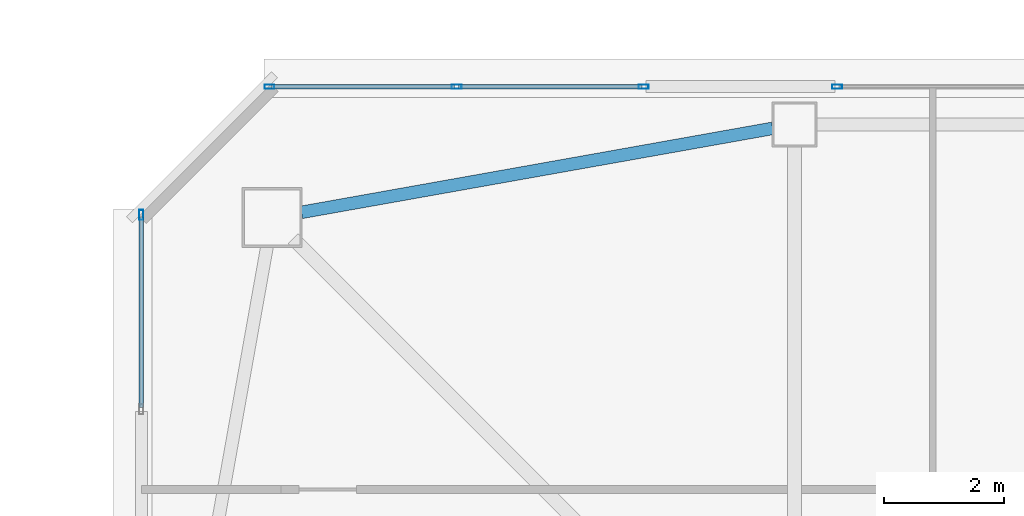
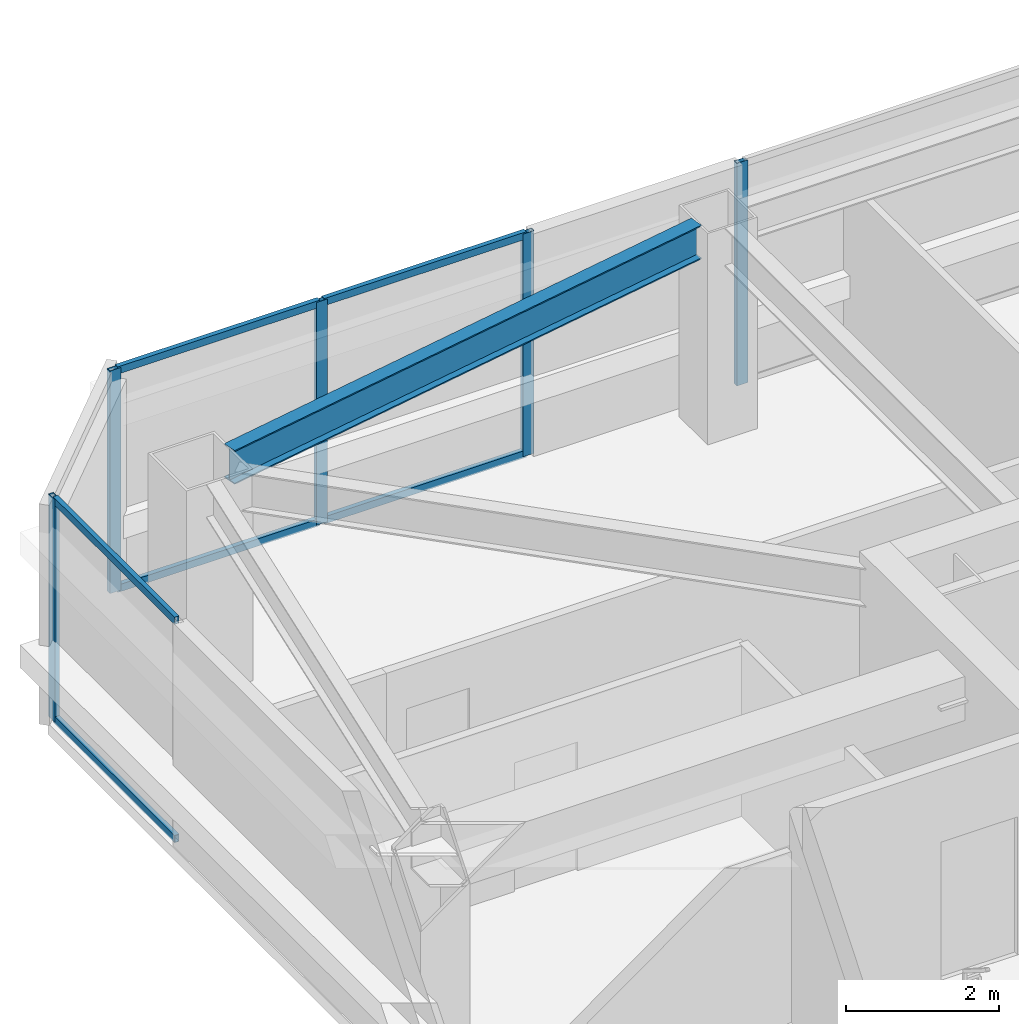
# One storey, part 12 of 39: 11 members, 1 beam, 3 elements without a shape of their own.
"""IFC4 building model written with IfcOpenShell, lengths in metres."""

from ifc_helpers import new_model, si_unit, direction, frame, origin, origin_2d, place, context, subcontext, project, spatial, hollow_rectangle, i_section, extrude, material, material_profile, profile_set, type_object, element, aggregate, save


model = new_model("IFC4")

# Units and contexts
model_context = context("Model", 3, precision=1e-05, world=origin(), true_north=direction((0.0, 1.0)))
body_context = subcontext(model_context, "Body", "Model", "MODEL_VIEW")
ifc_project = project(units=[si_unit("LENGTHUNIT", "METRE"), si_unit("AREAUNIT", "SQUARE_METRE"), si_unit("VOLUMEUNIT", "CUBIC_METRE"), si_unit("PLANEANGLEUNIT", "RADIAN"), si_unit("MASSUNIT", "GRAM", prefix="KILO")], contexts=[model_context])

# Site, building, storey
site_placement = place(None, origin())
site = spatial("IfcSite", under=ifc_project, at=site_placement, CompositionType="ELEMENT")
building_placement = place(site_placement, origin())
building = spatial("IfcBuilding", under=site, at=building_placement, Name="Tashvorn Skyway Center", CompositionType="ELEMENT")
storey_placement = place(building_placement, frame((0.0, 0.0, 214.85009765625)))
storey = spatial("IfcBuildingStorey", under=building, at=storey_placement, Name="L58", CompositionType="ELEMENT", Elevation=214.85009765625)

# Beam
ifc_material_1 = material(Name="Steel ASTM A992 Grade 50", Category="steel")
ifc_material_profile_1 = material_profile(ifc_material_1, i_section(OverallWidth=0.2109375, OverallDepth=0.5390625, WebThickness=0.01171875, FlangeThickness=0.018798828125, at=origin_2d()), Name="W21X73")
ifc_profile_set_1 = profile_set([ifc_material_profile_1], Name="Steel ASTM A992 Grade 50")
beam_type = type_object("IfcBeamType", Name="BM-SPANDREL-W21X73", PredefinedType="SPANDREL", material=ifc_profile_set_1)
beam_placement = place(storey_placement, frame((36.23583984375, 47.585205078125, 3.100341796875), z_axis=(-0.984494883191, -0.17541329759, 0.0), x_axis=(0.17541329759, -0.984494883191, 0.0)))
element("IfcBeam", 1, at=beam_placement, inside=storey, type_object=beam_type, Name="Tower 1 L58 Spandrel Beam 09", PredefinedType="SPANDREL", context=body_context, shape_type="SweptSolid", body=[
    extrude(i_section(OverallWidth=0.2109375, OverallDepth=0.5390625, WebThickness=0.01171875, FlangeThickness=0.018798828125, at=origin_2d()), origin(), (0.0, 0.0, 1.0), 7.97216796875),
])

# Curtain wall, member
ifc_material_2 = material(Name="Thermally broken bronze-anodized aluminium 6063-T6", Category="aluminium")
curtain_wall_type = type_object("IfcCurtainWallType", Name="CW-CW-Z5", PredefinedType="NOTDEFINED", material=ifc_material_2)
curtain_wall_1_placement = place(storey_placement, origin())
curtain_wall_1 = element("IfcCurtainWall", 2, at=curtain_wall_1_placement, inside=storey, type_object=curtain_wall_type, Name="Tower 1 L58 West Curtain Wall R Glazing Group 1", PredefinedType="NOTDEFINED")
ifc_material_profile_2 = material_profile(ifc_material_2, hollow_rectangle(XDim=0.070068359375, YDim=0.1650390625, WallThickness=0.00390625, at=origin_2d()), Name="ALU-MULL-70x165")
ifc_profile_set_2 = profile_set([ifc_material_profile_2], Name="Thermally broken bronze-anodized aluminium 6063-T6")
member_type_1 = type_object("IfcMemberType", Name="CWM-CW-Z5", PredefinedType="MULLION", material=ifc_profile_set_2)
member_1_placement = place(storey_placement, frame((25.719970703125, 46.14501953125, 0.0), z_axis=(0.0, 0.0, 1.0), x_axis=(-1.0, 0.0, 0.0)))
member_1 = element("IfcMember", 3, at=member_1_placement, type_object=member_type_1, Name="CW-Z5 mullion 2", PredefinedType="MULLION", context=body_context, shape_type="SweptSolid", body=[
    extrude(hollow_rectangle(XDim=0.070068359375, YDim=0.1650390625, WallThickness=0.00390625, at=origin_2d()), origin(), (0.0, 0.0, 1.0), 3.5498046875),
])

# Curtain wall, members
curtain_wall_2_placement = place(storey_placement, origin())
curtain_wall_2 = element("IfcCurtainWall", 4, at=curtain_wall_2_placement, inside=storey, type_object=curtain_wall_type, Name="Tower 1 L58 North Unitised Curtain Wall Glazing Group 1", PredefinedType="NOTDEFINED")
member_2_placement = place(storey_placement, frame((27.85498046875, 48.280029296875, 0.0), z_axis=(0.0, 0.0, 1.0), x_axis=(0.0, 1.0, 0.0)))
member_2 = element("IfcMember", 5, at=member_2_placement, type_object=member_type_1, Name="CW-Z5 mullion 1", PredefinedType="MULLION", context=body_context, shape_type="SweptSolid", body=[
    extrude(hollow_rectangle(XDim=0.070068359375, YDim=0.1650390625, WallThickness=0.00390625, at=origin_2d()), origin(), (0.0, 0.0, 1.0), 3.5498046875),
])
member_3_placement = place(storey_placement, frame((30.97119140625, 48.280029296875, 0.0), z_axis=(0.0, 0.0, 1.0), x_axis=(0.0, 1.0, 0.0)))
member_3 = element("IfcMember", 6, at=member_3_placement, type_object=member_type_1, Name="CW-Z5 mullion 2", PredefinedType="MULLION", context=body_context, shape_type="SweptSolid", body=[
    extrude(hollow_rectangle(XDim=0.070068359375, YDim=0.1650390625, WallThickness=0.00390625, at=origin_2d()), origin(), (0.0, 0.0, 1.0), 3.5498046875),
])
member_4_placement = place(storey_placement, frame((34.087158203125, 48.280029296875, 0.0), z_axis=(0.0, 0.0, 1.0), x_axis=(0.0, 1.0, 0.0)))
member_4 = element("IfcMember", 7, at=member_4_placement, type_object=member_type_1, Name="CW-Z5 mullion 3", PredefinedType="MULLION", context=body_context, shape_type="SweptSolid", body=[
    extrude(hollow_rectangle(XDim=0.070068359375, YDim=0.1650390625, WallThickness=0.00390625, at=origin_2d()), origin(), (0.0, 0.0, 1.0), 3.5498046875),
])

# Curtain wall, member
curtain_wall_3_placement = place(storey_placement, origin())
curtain_wall_3 = element("IfcCurtainWall", 8, at=curtain_wall_3_placement, inside=storey, type_object=curtain_wall_type, Name="Tower 1 L58 North Unitised Curtain Wall Glazing Group 2", PredefinedType="NOTDEFINED")
member_5_placement = place(storey_placement, frame((37.308349609375, 48.280029296875, 0.0), z_axis=(0.0, 0.0, 1.0), x_axis=(0.0, 1.0, 0.0)))
member_5 = element("IfcMember", 9, at=member_5_placement, type_object=member_type_1, Name="CW-Z5 mullion 1", PredefinedType="MULLION", context=body_context, shape_type="SweptSolid", body=[
    extrude(hollow_rectangle(XDim=0.070068359375, YDim=0.1650390625, WallThickness=0.00390625, at=origin_2d()), origin(), (0.0, 0.0, 1.0), 3.5498046875),
])
aggregate(curtain_wall_3, [member_5])

# Member
ifc_material_profile_3 = material_profile(ifc_material_2, hollow_rectangle(XDim=0.070068359375, YDim=0.114990234375, WallThickness=0.00390625, at=origin_2d()), Name="ALU-TRAN-70x115")
ifc_profile_set_3 = profile_set([ifc_material_profile_3], Name="Thermally broken bronze-anodized aluminium 6063-T6")
member_type_2 = type_object("IfcMemberType", Name="CWT-CW-Z5", PredefinedType="USERDEFINED", material=ifc_profile_set_3)
member_6_placement = place(storey_placement, frame((25.719970703125, 42.93994140625, 0.034912109375), z_axis=(0.0, 1.0, 0.0), x_axis=(-1.0, 0.0, 0.0)))
member_6 = element("IfcMember", 10, at=member_6_placement, type_object=member_type_2, Name="CW-Z5 transom 1.1", ObjectType="TRANSOM", PredefinedType="USERDEFINED", context=body_context, shape_type="SweptSolid", body=[
    extrude(hollow_rectangle(XDim=0.070068359375, YDim=0.114990234375, WallThickness=0.00390625, at=origin_2d()), origin(), (0.0, 0.0, 1.0), 3.170166015625),
])

member_7_placement = place(storey_placement, frame((25.719970703125, 42.93994140625, 3.514892578125), z_axis=(0.0, 1.0, 0.0), x_axis=(-1.0, 0.0, 0.0)))
member_7 = element("IfcMember", 11, at=member_7_placement, type_object=member_type_2, Name="CW-Z5 transom 1.2", ObjectType="TRANSOM", PredefinedType="USERDEFINED", context=body_context, shape_type="SweptSolid", body=[
    extrude(hollow_rectangle(XDim=0.070068359375, YDim=0.114990234375, WallThickness=0.00390625, at=origin_2d()), origin(), (0.0, 0.0, 1.0), 3.170166015625),
])

aggregate(curtain_wall_1, [member_1, member_6, member_7])

member_8_placement = place(storey_placement, frame((27.889892578125, 48.280029296875, 0.034912109375), z_axis=(1.0, 0.0, 0.0), x_axis=(0.0, 1.0, 0.0)))
member_8 = element("IfcMember", 12, at=member_8_placement, type_object=member_type_2, Name="CW-Z5 transom 1.1", ObjectType="TRANSOM", PredefinedType="USERDEFINED", context=body_context, shape_type="SweptSolid", body=[
    extrude(hollow_rectangle(XDim=0.070068359375, YDim=0.114990234375, WallThickness=0.00390625, at=origin_2d()), origin(), (0.0, 0.0, 1.0), 3.046142578125),
])

member_9_placement = place(storey_placement, frame((27.889892578125, 48.280029296875, 3.514892578125), z_axis=(1.0, 0.0, 0.0), x_axis=(0.0, 1.0, 0.0)))
member_9 = element("IfcMember", 13, at=member_9_placement, type_object=member_type_2, Name="CW-Z5 transom 1.2", ObjectType="TRANSOM", PredefinedType="USERDEFINED", context=body_context, shape_type="SweptSolid", body=[
    extrude(hollow_rectangle(XDim=0.070068359375, YDim=0.114990234375, WallThickness=0.00390625, at=origin_2d()), origin(), (0.0, 0.0, 1.0), 3.046142578125),
])

member_10_placement = place(storey_placement, frame((31.006103515625, 48.280029296875, 0.034912109375), z_axis=(1.0, 0.0, 0.0), x_axis=(0.0, 1.0, 0.0)))
member_10 = element("IfcMember", 14, at=member_10_placement, type_object=member_type_2, Name="CW-Z5 transom 2.1", ObjectType="TRANSOM", PredefinedType="USERDEFINED", context=body_context, shape_type="SweptSolid", body=[
    extrude(hollow_rectangle(XDim=0.070068359375, YDim=0.114990234375, WallThickness=0.00390625, at=origin_2d()), origin(), (0.0, 0.0, 1.0), 3.046142578125),
])

member_11_placement = place(storey_placement, frame((31.006103515625, 48.280029296875, 3.514892578125), z_axis=(1.0, 0.0, 0.0), x_axis=(0.0, 1.0, 0.0)))
member_11 = element("IfcMember", 15, at=member_11_placement, type_object=member_type_2, Name="CW-Z5 transom 2.2", ObjectType="TRANSOM", PredefinedType="USERDEFINED", context=body_context, shape_type="SweptSolid", body=[
    extrude(hollow_rectangle(XDim=0.070068359375, YDim=0.114990234375, WallThickness=0.00390625, at=origin_2d()), origin(), (0.0, 0.0, 1.0), 3.046142578125),
])

aggregate(curtain_wall_2, [member_2, member_3, member_4, member_8, member_9, member_10, member_11])

save(model, "model.ifc")
